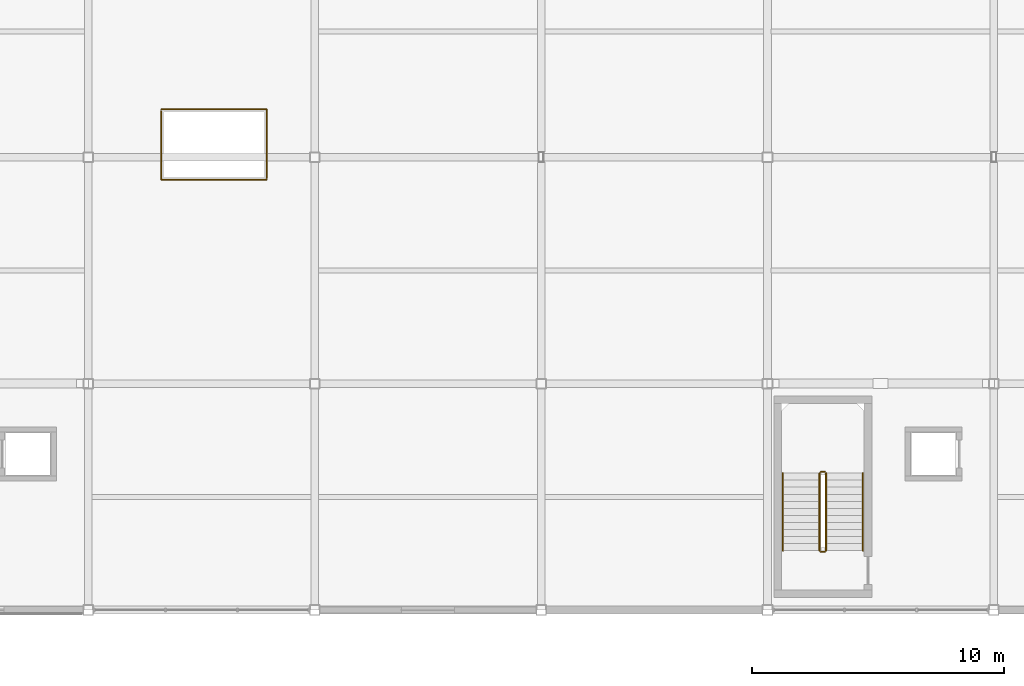
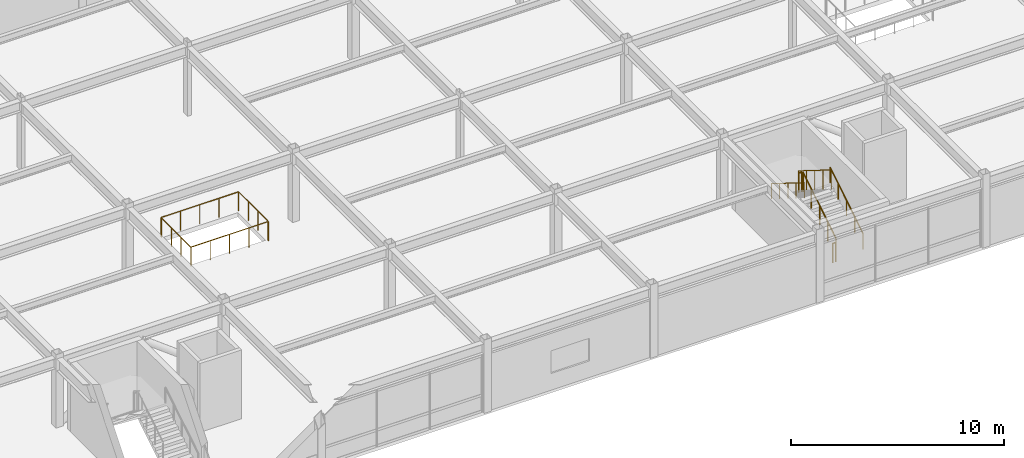
# One storey, part 63 of 70: 8 railings.
"""IFC4 building model written with IfcOpenShell, lengths in metres."""

from ifc_helpers import new_model, si_unit, direction, frame, origin, origin_2d, place, context, subcontext, project, spatial, circle, extrude, material, type_object, element, save


model = new_model("IFC4")

# Units and contexts
model_context = context("Model", 3, precision=1e-05, world=origin(), true_north=direction((0.0, 1.0)))
body_context = subcontext(model_context, "Body", "Model", "MODEL_VIEW")
ifc_project = project(units=[si_unit("LENGTHUNIT", "METRE"), si_unit("AREAUNIT", "SQUARE_METRE"), si_unit("VOLUMEUNIT", "CUBIC_METRE"), si_unit("PLANEANGLEUNIT", "RADIAN"), si_unit("MASSUNIT", "GRAM", prefix="KILO")], contexts=[model_context])

# Site, building, storey
site_placement = place(None, origin())
site = spatial("IfcSite", under=ifc_project, at=site_placement, CompositionType="ELEMENT")
building_placement = place(site_placement, origin())
building = spatial("IfcBuilding", under=site, at=building_placement, Name="Suzunagisa Mobility Hub", CompositionType="ELEMENT")
storey_placement = place(building_placement, frame((0.0, 0.0, 13.5)))
storey = spatial("IfcBuildingStorey", under=building, at=storey_placement, Name="L03", CompositionType="ELEMENT", Elevation=13.5)

# Railings
ifc_material = material(Name="Stainless Steel SUS304", Category="metal")
railing_type_1 = type_object("IfcRailingType", Name="Interior Well Guardrail IGR-01", PredefinedType="GUARDRAIL", material=ifc_material)
railing_1_placement = place(storey_placement, frame((92.330078125, 82.360107421875, 0.175048828125)))
element("IfcRailing", 1, at=railing_1_placement, inside=storey, type_object=railing_type_1, Name="L03 ST-08 stair guard 1", PredefinedType="GUARDRAIL", context=body_context, shape_type="SweptSolid", body=[
    extrude(circle(Radius=0.02392578125, at=origin_2d()), frame((0.0, 0.0, 1.09619140625), z_axis=(0.0, 0.847979421464, 0.530029150871), x_axis=(-1.0, 0.0, 0.0)), (0.0, 0.0, 1.0), 3.632080078125),
    extrude(circle(Radius=0.02099609375, at=origin_2d()), origin(), (0.0, 0.0, 1.0), 1.072021484375),
    extrude(circle(Radius=0.02099609375, at=origin_2d()), frame((0.0, 0.77001953125, 0.481201171875)), (0.0, 0.0, 1.0), 1.072021484375),
    extrude(circle(Radius=0.02099609375, at=origin_2d()), frame((0.0, 1.5400390625, 0.96240234375)), (0.0, 0.0, 1.0), 1.072021484375),
    extrude(circle(Radius=0.02099609375, at=origin_2d()), frame((0.0, 2.309814453125, 1.44384765625)), (0.0, 0.0, 1.0), 1.072021484375),
    extrude(circle(Radius=0.02099609375, at=origin_2d()), frame((0.0, 3.079833984375, 1.925048828125)), (0.0, 0.0, 1.0), 1.072021484375),
])
railing_2_placement = place(storey_placement, frame((92.280029296875, 85.489990234375, 2.10009765625)))
element("IfcRailing", 2, at=railing_2_placement, inside=storey, type_object=railing_type_1, Name="L03 ST-08 stair guard 2", PredefinedType="GUARDRAIL", context=body_context, shape_type="SweptSolid", body=[
    extrude(circle(Radius=0.02392578125, at=origin_2d()), frame((0.0, 0.0, 1.09619140625), z_axis=(-1.0, 0.0, 0.0), x_axis=(0.0, -1.0, 0.0)), (0.0, 0.0, 1.0), 0.159912109375),
    extrude(circle(Radius=0.02099609375, at=origin_2d()), origin(), (0.0, 0.0, 1.0), 1.072021484375),
    extrude(circle(Radius=0.02099609375, at=origin_2d()), frame((-0.159912109375, 0.0, 0.0)), (0.0, 0.0, 1.0), 1.072021484375),
])
railing_3_placement = place(storey_placement, frame((92.070068359375, 85.43994140625, 2.27490234375)))
element("IfcRailing", 3, at=railing_3_placement, inside=storey, type_object=railing_type_1, Name="L03 ST-08 stair guard 3", PredefinedType="GUARDRAIL", context=body_context, shape_type="SweptSolid", body=[
    extrude(circle(Radius=0.02392578125, at=origin_2d()), frame((0.0, 0.0, 1.09619140625), z_axis=(0.0, -0.847979421464, 0.530029150871), x_axis=(1.0, 0.0, 0.0)), (0.0, 0.0, 1.0), 3.632080078125),
    extrude(circle(Radius=0.02099609375, at=origin_2d()), origin(), (0.0, 0.0, 1.0), 1.072021484375),
    extrude(circle(Radius=0.02099609375, at=origin_2d()), frame((0.0, -0.77001953125, 0.481201171875)), (0.0, 0.0, 1.0), 1.072021484375),
    extrude(circle(Radius=0.02099609375, at=origin_2d()), frame((0.0, -1.5400390625, 0.96240234375)), (0.0, 0.0, 1.0), 1.072021484375),
    extrude(circle(Radius=0.02099609375, at=origin_2d()), frame((0.0, -2.309814453125, 1.44384765625)), (0.0, 0.0, 1.0), 1.072021484375),
    extrude(circle(Radius=0.02099609375, at=origin_2d()), frame((0.0, -3.079833984375, 1.925048828125)), (0.0, 0.0, 1.0), 1.072021484375),
])
railing_4_placement = place(storey_placement, frame((92.280029296875, 82.31005859375, 0.0)))
element("IfcRailing", 4, at=railing_4_placement, inside=storey, type_object=railing_type_1, Name="L03 ST-08 stair guard 4", PredefinedType="GUARDRAIL", context=body_context, shape_type="SweptSolid", body=[
    extrude(circle(Radius=0.02392578125, at=origin_2d()), frame((0.0, 0.0, 1.09619140625), z_axis=(-1.0, 0.0, 0.0), x_axis=(0.0, -1.0, 0.0)), (0.0, 0.0, 1.0), 0.159912109375),
    extrude(circle(Radius=0.02099609375, at=origin_2d()), origin(), (0.0, 0.0, 1.0), 1.072021484375),
    extrude(circle(Radius=0.02099609375, at=origin_2d()), frame((-0.159912109375, 0.0, 0.0)), (0.0, 0.0, 1.0), 1.072021484375),
])
railing_5_placement = place(storey_placement, frame((65.89990234375, 99.840087890625, 0.0)))
element("IfcRailing", 5, at=railing_5_placement, inside=storey, type_object=railing_type_1, Name="L03 Smoke-Relief Lightwell Guardrail LG-61S", PredefinedType="GUARDRAIL", context=body_context, shape_type="SweptSolid", body=[
    extrude(circle(Radius=0.02392578125, at=origin_2d()), frame((0.0, 0.0, 1.09619140625), z_axis=(0.0, -1.0, 0.0), x_axis=(1.0, 0.0, 0.0)), (0.0, 0.0, 1.0), 2.739990234375),
    extrude(circle(Radius=0.02392578125, at=origin_2d()), frame((0.0, -2.739990234375, 1.09619140625), z_axis=(1.0, 0.0, 0.0), x_axis=(0.0, 1.0, 0.0)), (0.0, 0.0, 1.0), 4.2001953125),
    extrude(circle(Radius=0.02099609375, at=origin_2d()), origin(), (0.0, 0.0, 1.0), 1.072021484375),
    extrude(circle(Radius=0.02099609375, at=origin_2d()), frame((0.0, -0.913330078125, 0.0)), (0.0, 0.0, 1.0), 1.072021484375),
    extrude(circle(Radius=0.02099609375, at=origin_2d()), frame((0.0, -1.82666015625, 0.0)), (0.0, 0.0, 1.0), 1.072021484375),
    extrude(circle(Radius=0.02099609375, at=origin_2d()), frame((0.0, -2.739990234375, 0.0)), (0.0, 0.0, 1.0), 1.072021484375),
    extrude(circle(Radius=0.02099609375, at=origin_2d()), frame((1.050048828125, -2.739990234375, 0.0)), (0.0, 0.0, 1.0), 1.072021484375),
    extrude(circle(Radius=0.02099609375, at=origin_2d()), frame((2.10009765625, -2.739990234375, 0.0)), (0.0, 0.0, 1.0), 1.072021484375),
    extrude(circle(Radius=0.02099609375, at=origin_2d()), frame((3.150146484375, -2.739990234375, 0.0)), (0.0, 0.0, 1.0), 1.072021484375),
    extrude(circle(Radius=0.02099609375, at=origin_2d()), frame((4.2001953125, -2.739990234375, 0.0)), (0.0, 0.0, 1.0), 1.072021484375),
])
railing_6_placement = place(storey_placement, frame((70.10009765625, 97.159912109375, 0.0)))
element("IfcRailing", 6, at=railing_6_placement, inside=storey, type_object=railing_type_1, Name="L03 Smoke-Relief Lightwell Guardrail LG-62N", PredefinedType="GUARDRAIL", context=body_context, shape_type="SweptSolid", body=[
    extrude(circle(Radius=0.02392578125, at=origin_2d()), frame((0.0, 0.0, 1.09619140625), z_axis=(0.0, 1.0, 0.0), x_axis=(-1.0, 0.0, 0.0)), (0.0, 0.0, 1.0), 2.739990234375),
    extrude(circle(Radius=0.02392578125, at=origin_2d()), frame((0.0, 2.739990234375, 1.09619140625), z_axis=(-1.0, 0.0, 0.0), x_axis=(0.0, -1.0, 0.0)), (0.0, 0.0, 1.0), 4.2001953125),
    extrude(circle(Radius=0.02099609375, at=origin_2d()), origin(), (0.0, 0.0, 1.0), 1.072021484375),
    extrude(circle(Radius=0.02099609375, at=origin_2d()), frame((0.0, 0.913330078125, 0.0)), (0.0, 0.0, 1.0), 1.072021484375),
    extrude(circle(Radius=0.02099609375, at=origin_2d()), frame((0.0, 1.82666015625, 0.0)), (0.0, 0.0, 1.0), 1.072021484375),
    extrude(circle(Radius=0.02099609375, at=origin_2d()), frame((0.0, 2.739990234375, 0.0)), (0.0, 0.0, 1.0), 1.072021484375),
    extrude(circle(Radius=0.02099609375, at=origin_2d()), frame((-1.050048828125, 2.739990234375, 0.0)), (0.0, 0.0, 1.0), 1.072021484375),
    extrude(circle(Radius=0.02099609375, at=origin_2d()), frame((-2.10009765625, 2.739990234375, 0.0)), (0.0, 0.0, 1.0), 1.072021484375),
    extrude(circle(Radius=0.02099609375, at=origin_2d()), frame((-3.150146484375, 2.739990234375, 0.0)), (0.0, 0.0, 1.0), 1.072021484375),
    extrude(circle(Radius=0.02099609375, at=origin_2d()), frame((-4.2001953125, 2.739990234375, 0.0)), (0.0, 0.0, 1.0), 1.072021484375),
])
railing_type_2 = type_object("IfcRailingType", Name="Tubular Stainless Stair Handrail IHR-01", PredefinedType="HANDRAIL", material=ifc_material)
railing_7_placement = place(storey_placement, frame((93.7900390625, 82.360107421875, 0.175048828125)))
element("IfcRailing", 7, at=railing_7_placement, inside=storey, type_object=railing_type_2, Name="L03 ST-08 stair handrail 1", PredefinedType="HANDRAIL", context=body_context, shape_type="SweptSolid", body=[
    extrude(circle(Radius=0.02392578125, at=origin_2d()), frame((0.0, 0.0, 0.8759765625), z_axis=(0.0, 0.847979421464, 0.530029150871), x_axis=(-1.0, 0.0, 0.0)), (0.0, 0.0, 1.0), 3.632080078125),
    extrude(circle(Radius=0.02099609375, at=origin_2d()), origin(), (0.0, 0.0, 1.0), 0.851806640625),
    extrude(circle(Radius=0.02099609375, at=origin_2d()), frame((0.0, 0.77001953125, 0.481201171875)), (0.0, 0.0, 1.0), 0.851806640625),
    extrude(circle(Radius=0.02099609375, at=origin_2d()), frame((0.0, 1.5400390625, 0.96240234375)), (0.0, 0.0, 1.0), 0.851806640625),
    extrude(circle(Radius=0.02099609375, at=origin_2d()), frame((0.0, 2.309814453125, 1.44384765625)), (0.0, 0.0, 1.0), 0.851806640625),
    extrude(circle(Radius=0.02099609375, at=origin_2d()), frame((0.0, 3.079833984375, 1.925048828125)), (0.0, 0.0, 1.0), 0.851806640625),
])
railing_8_placement = place(storey_placement, frame((90.610107421875, 85.43994140625, 2.27490234375)))
element("IfcRailing", 8, at=railing_8_placement, inside=storey, type_object=railing_type_2, Name="L03 ST-08 stair handrail 2", PredefinedType="HANDRAIL", context=body_context, shape_type="SweptSolid", body=[
    extrude(circle(Radius=0.02392578125, at=origin_2d()), frame((0.0, 0.0, 0.8759765625), z_axis=(0.0, -0.847979421464, 0.530029150871), x_axis=(1.0, 0.0, 0.0)), (0.0, 0.0, 1.0), 3.632080078125),
    extrude(circle(Radius=0.02099609375, at=origin_2d()), origin(), (0.0, 0.0, 1.0), 0.851806640625),
    extrude(circle(Radius=0.02099609375, at=origin_2d()), frame((0.0, -0.77001953125, 0.481201171875)), (0.0, 0.0, 1.0), 0.851806640625),
    extrude(circle(Radius=0.02099609375, at=origin_2d()), frame((0.0, -1.5400390625, 0.96240234375)), (0.0, 0.0, 1.0), 0.851806640625),
    extrude(circle(Radius=0.02099609375, at=origin_2d()), frame((0.0, -2.309814453125, 1.44384765625)), (0.0, 0.0, 1.0), 0.851806640625),
    extrude(circle(Radius=0.02099609375, at=origin_2d()), frame((0.0, -3.079833984375, 1.925048828125)), (0.0, 0.0, 1.0), 0.851806640625),
])

save(model, "model.ifc")
